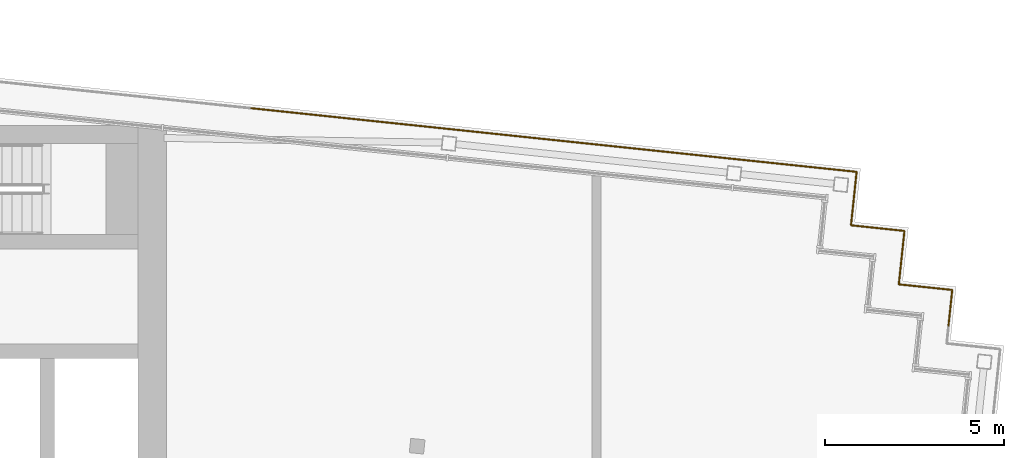
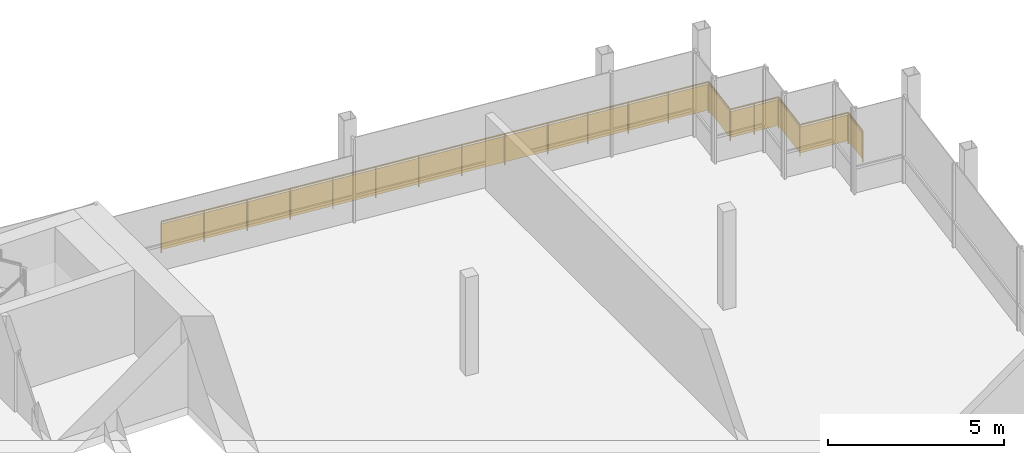
# One storey, part 15 of 15: 2 railings.
"""IFC4 building model written with IfcOpenShell, lengths in metres."""

from ifc_helpers import new_model, si_unit, direction, frame, origin, origin_2d, place, context, subcontext, project, spatial, rectangle, circle, extrude, material, type_object, element, save


model = new_model("IFC4")

# Units and contexts
model_context = context("Model", 3, precision=1e-05, world=origin(), true_north=direction((0.0, 1.0)))
body_context = subcontext(model_context, "Body", "Model", "MODEL_VIEW")
ifc_project = project(units=[si_unit("LENGTHUNIT", "METRE"), si_unit("AREAUNIT", "SQUARE_METRE"), si_unit("VOLUMEUNIT", "CUBIC_METRE"), si_unit("PLANEANGLEUNIT", "RADIAN"), si_unit("MASSUNIT", "GRAM", prefix="KILO")], contexts=[model_context])

# Site, building, storey
site_placement = place(None, origin())
site = spatial("IfcSite", under=ifc_project, at=site_placement, CompositionType="ELEMENT")
building_placement = place(site_placement, origin())
building = spatial("IfcBuilding", under=site, at=building_placement, Name="Vidyagriha Tower", CompositionType="ELEMENT")
storey_placement = place(building_placement, frame((0.0, 0.0, 298.300048828125)))
storey = spatial("IfcBuildingStorey", under=building, at=storey_placement, Name="L77", CompositionType="ELEMENT", Elevation=298.300048828125)

# Railings
ifc_material = material(Name="Steel ASTM A500 Grade C black painted", Category="steel")
railing_type = type_object("IfcRailingType", Name="Gallery guard 1100", PredefinedType="GUARDRAIL", material=ifc_material)
railing_1_placement = place(storey_placement, frame((12.3544921875, 20.481689453125, 0.0)))
element("IfcRailing", 1, at=railing_1_placement, inside=storey, type_object=railing_type, Name="Gallery guard L77 12", PredefinedType="GUARDRAIL", context=body_context, shape_type="SweptSolid", body=[
    extrude(circle(Radius=0.02490234375, at=origin_2d()), frame((0.0, 0.0, 1.0751953125), z_axis=(0.994521494219, -0.104532279878, 0.0), x_axis=(0.104532279878, 0.994521494219, 0.0)), (0.0, 0.0, 1.0), 12.0),
    extrude(circle(Radius=0.02001953125, at=origin_2d()), origin(), (0.0, 0.0, 1.0), 1.050048828125),
    extrude(circle(Radius=0.02001953125, at=origin_2d()), frame((1.325927734375, -0.139404296875, 0.0)), (0.0, 0.0, 1.0), 1.050048828125),
    extrude(circle(Radius=0.02001953125, at=origin_2d()), frame((2.652099609375, -0.27880859375, 0.0)), (0.0, 0.0, 1.0), 1.050048828125),
    extrude(circle(Radius=0.02001953125, at=origin_2d()), frame((3.97802734375, -0.418212890625, 0.0)), (0.0, 0.0, 1.0), 1.050048828125),
    extrude(circle(Radius=0.02001953125, at=origin_2d()), frame((5.30419921875, -0.5576171875, 0.0)), (0.0, 0.0, 1.0), 1.050048828125),
    extrude(circle(Radius=0.02001953125, at=origin_2d()), frame((6.630126953125, -0.69677734375, 0.0)), (0.0, 0.0, 1.0), 1.050048828125),
    extrude(circle(Radius=0.02001953125, at=origin_2d()), frame((7.956298828125, -0.836181640625, 0.0)), (0.0, 0.0, 1.0), 1.050048828125),
    extrude(circle(Radius=0.02001953125, at=origin_2d()), frame((9.2822265625, -0.9755859375, 0.0)), (0.0, 0.0, 1.0), 1.050048828125),
    extrude(circle(Radius=0.02001953125, at=origin_2d()), frame((10.6083984375, -1.114990234375, 0.0)), (0.0, 0.0, 1.0), 1.050048828125),
    extrude(circle(Radius=0.02001953125, at=origin_2d()), frame((11.934326171875, -1.25439453125, 0.0)), (0.0, 0.0, 1.0), 1.050048828125),
    extrude(rectangle(XDim=0.010009765625, YDim=0.900146484375, at=origin_2d()), frame((0.0, 0.0, 0.550048828125), z_axis=(0.994521494219, -0.104532279878, 0.0), x_axis=(0.104532279878, 0.994521494219, 0.0)), (0.0, 0.0, 1.0), 12.0),
])
railing_2_placement = place(storey_placement, frame((24.288818359375, 19.227294921875, 0.0)))
element("IfcRailing", 2, at=railing_2_placement, inside=storey, type_object=railing_type, Name="Gallery guard L77 13", PredefinedType="GUARDRAIL", context=body_context, shape_type="SweptSolid", body=[
    extrude(circle(Radius=0.02490234375, at=origin_2d()), frame((0.0, 0.0, 1.0751953125), z_axis=(0.994520692635, -0.104539905878, 0.0), x_axis=(0.104539905878, 0.994520692635, 0.0)), (0.0, 0.0, 1.0), 5.0),
    extrude(circle(Radius=0.02490234375, at=origin_2d()), frame((4.97265625, -0.522705078125, 1.0751953125), z_axis=(-0.104659366031, -0.994508128223, 0.0), x_axis=(0.994508128223, -0.104659366031, 0.0)), (0.0, 0.0, 1.0), 1.5),
    extrude(circle(Radius=0.02490234375, at=origin_2d()), frame((4.815673828125, -2.014404296875, 1.0751953125), z_axis=(0.994509910675, -0.104642427191, 0.0), x_axis=(0.104642427191, 0.994509910675, 0.0)), (0.0, 0.0, 1.0), 1.500244140625),
    extrude(circle(Radius=0.02490234375, at=origin_2d()), frame((6.3076171875, -2.17138671875, 1.0751953125), z_axis=(-0.104498377516, -0.994525057048, 0.0), x_axis=(0.994525057048, -0.104498377516, 0.0)), (0.0, 0.0, 1.0), 1.5),
    extrude(circle(Radius=0.02490234375, at=origin_2d()), frame((6.15087890625, -3.6630859375, 1.0751953125), z_axis=(0.994525057048, -0.104498377516, 0.0), x_axis=(0.104498377516, 0.994525057048, 0.0)), (0.0, 0.0, 1.0), 1.5),
    extrude(circle(Radius=0.02490234375, at=origin_2d()), frame((7.642578125, -3.81982421875, 1.0751953125), z_axis=(-0.104481464157, -0.994526834051, 0.0), x_axis=(0.994526834051, -0.104481464157, 0.0)), (0.0, 0.0, 1.0), 1.0),
    extrude(circle(Radius=0.02001953125, at=origin_2d()), origin(), (0.0, 0.0, 1.0), 1.050048828125),
    extrude(circle(Radius=0.02001953125, at=origin_2d()), frame((1.2431640625, -0.130615234375, 0.0)), (0.0, 0.0, 1.0), 1.050048828125),
    extrude(circle(Radius=0.02001953125, at=origin_2d()), frame((2.486328125, -0.26123046875, 0.0)), (0.0, 0.0, 1.0), 1.050048828125),
    extrude(circle(Radius=0.02001953125, at=origin_2d()), frame((3.7294921875, -0.39208984375, 0.0)), (0.0, 0.0, 1.0), 1.050048828125),
    extrude(circle(Radius=0.02001953125, at=origin_2d()), frame((4.97265625, -0.522705078125, 0.0)), (0.0, 0.0, 1.0), 1.050048828125),
    extrude(circle(Radius=0.02001953125, at=origin_2d()), frame((4.815673828125, -2.014404296875, 0.0)), (0.0, 0.0, 1.0), 1.050048828125),
    extrude(circle(Radius=0.02001953125, at=origin_2d()), frame((5.5615234375, -2.0927734375, 0.0)), (0.0, 0.0, 1.0), 1.050048828125),
    extrude(circle(Radius=0.02001953125, at=origin_2d()), frame((6.3076171875, -2.17138671875, 0.0)), (0.0, 0.0, 1.0), 1.050048828125),
    extrude(circle(Radius=0.02001953125, at=origin_2d()), frame((6.15087890625, -3.6630859375, 0.0)), (0.0, 0.0, 1.0), 1.050048828125),
    extrude(circle(Radius=0.02001953125, at=origin_2d()), frame((7.642578125, -3.81982421875, 0.0)), (0.0, 0.0, 1.0), 1.050048828125),
    extrude(circle(Radius=0.02001953125, at=origin_2d()), frame((7.5380859375, -4.814453125, 0.0)), (0.0, 0.0, 1.0), 1.050048828125),
    extrude(rectangle(XDim=0.010009765625, YDim=0.900146484375, at=origin_2d()), frame((0.0, 0.0, 0.550048828125), z_axis=(0.994520692635, -0.104539905878, 0.0), x_axis=(0.104539905878, 0.994520692635, 0.0)), (0.0, 0.0, 1.0), 5.0),
    extrude(rectangle(XDim=0.010009765625, YDim=0.900146484375, at=origin_2d()), frame((4.97265625, -0.522705078125, 0.550048828125), z_axis=(-0.104659366031, -0.994508128223, 0.0), x_axis=(0.994508128223, -0.104659366031, 0.0)), (0.0, 0.0, 1.0), 1.5),
    extrude(rectangle(XDim=0.010009765625, YDim=0.900146484375, at=origin_2d()), frame((4.815673828125, -2.014404296875, 0.550048828125), z_axis=(0.994509910675, -0.104642427191, 0.0), x_axis=(0.104642427191, 0.994509910675, 0.0)), (0.0, 0.0, 1.0), 1.500244140625),
    extrude(rectangle(XDim=0.010009765625, YDim=0.900146484375, at=origin_2d()), frame((6.3076171875, -2.17138671875, 0.550048828125), z_axis=(-0.104498377516, -0.994525057048, 0.0), x_axis=(0.994525057048, -0.104498377516, 0.0)), (0.0, 0.0, 1.0), 1.5),
    extrude(rectangle(XDim=0.010009765625, YDim=0.900146484375, at=origin_2d()), frame((6.15087890625, -3.6630859375, 0.550048828125), z_axis=(0.994525057048, -0.104498377516, 0.0), x_axis=(0.104498377516, 0.994525057048, 0.0)), (0.0, 0.0, 1.0), 1.5),
    extrude(rectangle(XDim=0.010009765625, YDim=0.900146484375, at=origin_2d()), frame((7.642578125, -3.81982421875, 0.550048828125), z_axis=(-0.104481464157, -0.994526834051, 0.0), x_axis=(0.994526834051, -0.104481464157, 0.0)), (0.0, 0.0, 1.0), 1.0),
])

save(model, "model.ifc")
